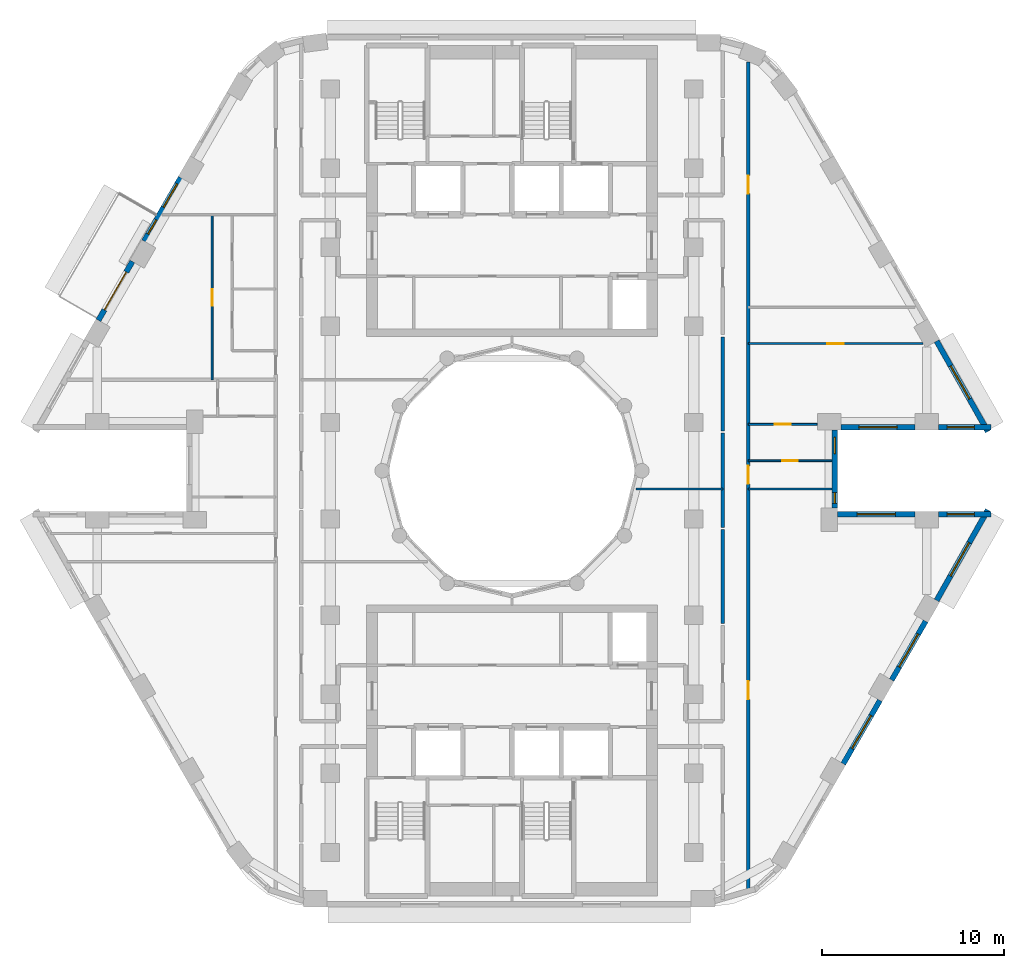
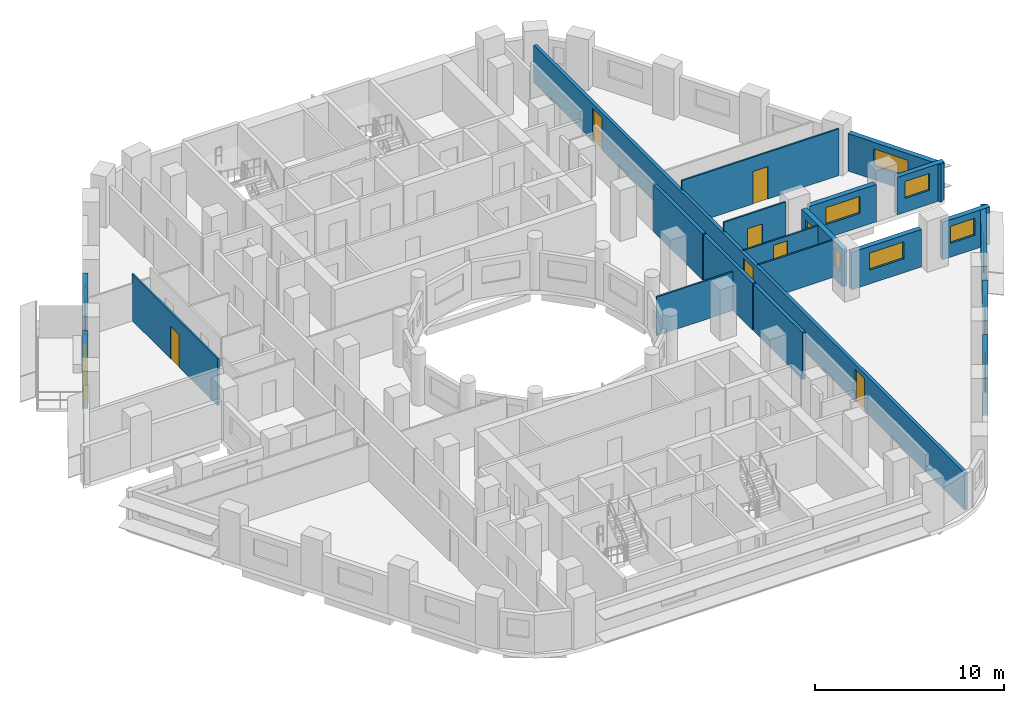
# One storey, part 6 of 13: 21 walls, 12 windows, 8 doors, 20 openings.
"""IFC4 building model written with IfcOpenShell, lengths in metres."""

from ifc_helpers import new_model, si_unit, direction, frame, frame_2d, origin, place, context, subcontext, project, spatial, rectangle, extrude, material, layer, layer_set, type_object, element, fill, save


model = new_model("IFC4")

# Units and contexts
model_context = context("Model", 3, precision=1e-05, world=origin(), true_north=direction((0.0, 1.0)))
body_context = subcontext(model_context, "Body", "Model", "MODEL_VIEW")
ifc_project = project(units=[si_unit("LENGTHUNIT", "METRE"), si_unit("AREAUNIT", "SQUARE_METRE"), si_unit("VOLUMEUNIT", "CUBIC_METRE"), si_unit("PLANEANGLEUNIT", "RADIAN"), si_unit("MASSUNIT", "GRAM", prefix="KILO")], contexts=[model_context])

# Site, building, storey
site_placement = place(None, origin())
site = spatial("IfcSite", under=ifc_project, at=site_placement, CompositionType="ELEMENT")
building_placement = place(site_placement, origin())
building = spatial("IfcBuilding", under=site, at=building_placement, Name="Nakaniwa Court", CompositionType="ELEMENT")
storey_placement = place(building_placement, frame((0.0, 0.0, 150.300048828125)))
storey = spatial("IfcBuildingStorey", under=building, at=storey_placement, Name="L39", CompositionType="ELEMENT", Elevation=150.300048828125)

# Walls
ifc_material_1 = material(Name="Acoustic double stud partition")
ifc_layer_1 = layer(ifc_material_1, 0.199951171875)
ifc_layer_set_1 = layer_set([ifc_layer_1], Name="Acoustic double stud partition")
wall_type_1 = type_object("IfcWallType", Name="Acoustic double stud partition 200", PredefinedType="PARTITIONING", material=ifc_layer_set_1)
for number, where, z_axis, x_axis, name in (
    (1, (91.60009765625, 71.587158203125, 0.0), (0.0, 0.0, 1.0), (0.0, 1.0, 0.0), "Partition PW-070"),
    (2, (91.60009765625, 76.88720703125, 0.0), (0.0, 0.0, 1.0), (0.0, 1.0, 0.0), "Partition PW-071"),
    (3, (91.60009765625, 82.187255859375, 0.0), (0.0, 0.0, 1.0), (0.0, 1.0, 0.0), "Partition PW-072"),
):
    element("IfcWall", number, at=place(storey_placement, frame(where, z_axis=z_axis, x_axis=x_axis)), inside=storey, type_object=wall_type_1, Name=name, PredefinedType="PARTITIONING", context=body_context, shape_type="SweptSolid", body=[
        extrude(rectangle(XDim=5.185546875, YDim=0.199951171875, at=frame_2d((2.5927734375, 0.0))), origin(), (0.0, 0.0, 1.0), 3.02490234375),
    ])

# Wall, openings, doors
wall_1_placement = place(storey_placement, frame((93.0, 102.498046875, 0.0), z_axis=(0.0, 0.0, 1.0), x_axis=(0.0, -1.0, 0.0)))
wall_1 = element("IfcWall", 4, at=wall_1_placement, inside=storey, type_object=wall_type_1, Name="Partition PW-080", PredefinedType="PARTITIONING", context=body_context, shape_type="SweptSolid", body=[
    extrude(rectangle(XDim=45.664794921875, YDim=0.199951171875, at=frame_2d((22.83251953125, 0.0))), origin(), (0.0, 0.0, 1.0), 2.405029296875),
])
opening_1_placement = place(wall_1_placement, frame((34.0810546875, 0.0, 0.0)))
opening_1 = element("IfcOpeningElement", 5, at=opening_1_placement, cuts=wall_1, Name="Opening D-02-02", PredefinedType="OPENING", context=body_context, shape_type="SweptSolid", body=[
    extrude(rectangle(XDim=1.0, YDim=2.10009765625, at=frame_2d((0.5, 1.050048828125))), frame((0.0, 0.10986328125, 0.0), z_axis=(0.0, -1.0, 0.0), x_axis=(1.0, 0.0, 0.0)), (0.0, 0.0, 1.0), 0.219970703125),
])
opening_2_placement = place(wall_1_placement, frame((22.222900390625, 0.0, 0.0)))
opening_2 = element("IfcOpeningElement", 6, at=opening_2_placement, cuts=wall_1, Name="Opening D-01-01", PredefinedType="OPENING", context=body_context, shape_type="SweptSolid", body=[
    extrude(rectangle(XDim=1.0, YDim=2.10009765625, at=frame_2d((0.5, 1.050048828125))), frame((0.0, 0.10986328125, 0.0), z_axis=(0.0, -1.0, 0.0), x_axis=(1.0, 0.0, 0.0)), (0.0, 0.0, 1.0), 0.219970703125),
])
opening_3_placement = place(wall_1_placement, frame((6.2509765625, 0.0, 0.0)))
opening_3 = element("IfcOpeningElement", 7, at=opening_3_placement, cuts=wall_1, Name="Opening D-02-04", PredefinedType="OPENING", context=body_context, shape_type="SweptSolid", body=[
    extrude(rectangle(XDim=1.0, YDim=2.10009765625, at=frame_2d((0.5, 1.050048828125))), frame((0.0, 0.10986328125, 0.0), z_axis=(0.0, -1.0, 0.0), x_axis=(1.0, 0.0, 0.0)), (0.0, 0.0, 1.0), 0.219970703125),
])
ifc_material_2 = material(Name="Solid core timber door set, black veneer", Category="wood")
door_type_1 = type_object("IfcDoorType", Name="Flat entrance door 1000", OperationType="NOTDEFINED", PredefinedType="DOOR", material=ifc_material_2)
door_1_placement = place(opening_2_placement, origin())
door_1 = element("IfcDoor", 8, at=door_1_placement, inside=storey, type_object=door_type_1, Name="Door D-01-01 L39-026", OperationType="SINGLE_SWING_LEFT", OverallHeight=2.10009765625, OverallWidth=1.0, PredefinedType="DOOR", context=body_context, shape_type="SweptSolid", body=[
    extrude(rectangle(XDim=1.0, YDim=2.10009765625, at=frame_2d((0.5, 1.050048828125))), frame((0.0, 0.02490234375, 0.0), z_axis=(0.0, -1.0, 0.0), x_axis=(1.0, 0.0, 0.0)), (0.0, 0.0, 1.0), 0.050048828125),
])
fill(opening_2, door_1)
door_type_2 = type_object("IfcDoorType", Name="Internal door 1000", OperationType="NOTDEFINED", PredefinedType="DOOR", material=ifc_material_2)
door_2_placement = place(opening_1_placement, origin())
door_2 = element("IfcDoor", 9, at=door_2_placement, inside=storey, type_object=door_type_2, Name="Door D-02-02 L39-024", OperationType="SINGLE_SWING_LEFT", OverallHeight=2.10009765625, OverallWidth=1.0, PredefinedType="DOOR", context=body_context, shape_type="SweptSolid", body=[
    extrude(rectangle(XDim=1.0, YDim=2.10009765625, at=frame_2d((0.5, 1.050048828125))), frame((0.0, 0.02490234375, 0.0), z_axis=(0.0, -1.0, 0.0), x_axis=(1.0, 0.0, 0.0)), (0.0, 0.0, 1.0), 0.050048828125),
])
fill(opening_1, door_2)
door_3_placement = place(opening_3_placement, origin())
door_3 = element("IfcDoor", 10, at=door_3_placement, inside=storey, type_object=door_type_2, Name="Door D-02-04 L39-030", OperationType="SINGLE_SWING_LEFT", OverallHeight=2.10009765625, OverallWidth=1.0, PredefinedType="DOOR", context=body_context, shape_type="SweptSolid", body=[
    extrude(rectangle(XDim=1.0, YDim=2.10009765625, at=frame_2d((0.5, 1.050048828125))), frame((0.0, 0.02490234375, 0.0), z_axis=(0.0, -1.0, 0.0), x_axis=(1.0, 0.0, 0.0)), (0.0, 0.0, 1.0), 0.050048828125),
])
fill(opening_3, door_3)

# Wall, opening, window
ifc_material_3 = material(Name="Charcoal ceramic cladding")
ifc_layer_2 = layer(ifc_material_3, 0.02, Name="Ceramic cladding")
ifc_material_4 = material(Name="Ventilated air cavity")
ifc_layer_3 = layer(ifc_material_4, 0.04, ventilated=True, Name="Ventilated cavity")
ifc_material_5 = material(Name="Mineral wool insulation")
ifc_layer_4 = layer(ifc_material_5, 0.1, Name="Insulation")
ifc_material_6 = material(Name="Cement bonded sheathing board")
ifc_layer_5 = layer(ifc_material_6, 0.012, Name="Sheathing")
ifc_material_7 = material(Name="Cold-formed galvanised stud frame with mineral wool infill")
ifc_layer_6 = layer(ifc_material_7, 0.1, Name="Stud frame")
ifc_material_8 = material(Name="Fire-rated gypsum plasterboard lining")
ifc_layer_7 = layer(ifc_material_8, 0.028, Name="Lining")
ifc_layer_set_2 = layer_set([ifc_layer_2, ifc_layer_3, ifc_layer_4, ifc_layer_5, ifc_layer_6, ifc_layer_7], Name="Charcoal ceramic faced external wall system")
wall_type_2 = type_object("IfcWallType", Name="Black ceramic faced external wall 300", PredefinedType="SOLIDWALL", material=ifc_layer_set_2)
wall_2_placement = place(storey_placement, frame((98.1044921875, 82.39990234375, 0.0), z_axis=(0.0, 0.0, 1.0), x_axis=(1.0, 0.0, 0.0)))
wall_2 = element("IfcWall", 11, at=wall_2_placement, inside=storey, type_object=wall_type_2, Name="L39 external wall 00", PredefinedType="SOLIDWALL", context=body_context, shape_type="SweptSolid", body=[
    extrude(rectangle(XDim=4.072509765625, YDim=0.300048828125, at=frame_2d((2.0361328125, 0.0))), origin(), (0.0, 0.0, 1.0), 2.425048828125),
])
opening_4_placement = place(wall_2_placement, frame((0.986083984375, 0.0, 0.89990234375)))
opening_4 = element("IfcOpeningElement", 12, at=opening_4_placement, cuts=wall_2, Name="Opening W7.01", PredefinedType="OPENING", context=body_context, shape_type="SweptSolid", body=[
    extrude(rectangle(XDim=2.10009765625, YDim=1.10009765625, at=frame_2d((1.050048828125, 0.550048828125))), frame((0.0, 0.159912109375, 0.0), z_axis=(0.0, -1.0, 0.0), x_axis=(1.0, 0.0, 0.0)), (0.0, 0.0, 1.0), 0.320068359375),
])
ifc_material_9 = material(Name="Black anodised aluminium frame with dark low-E laminated double glazing", Category="aluminium")
window_type_1 = type_object("IfcWindowType", Name="Dark glass window 2100x1100 sill 900", PartitioningType="SINGLE_PANEL", PredefinedType="WINDOW", material=ifc_material_9)
window_1_placement = place(opening_4_placement, origin())
window_1 = element("IfcWindow", 13, at=window_1_placement, inside=storey, type_object=window_type_1, Name="L39 living window 00-0", OverallHeight=1.10009765625, OverallWidth=2.10009765625, PartitioningType="SINGLE_PANEL", PredefinedType="WINDOW", context=body_context, shape_type="SweptSolid", body=[
    extrude(rectangle(XDim=2.10009765625, YDim=1.10009765625, at=frame_2d((1.050048828125, 0.550048828125))), frame((0.0, 0.030029296875, 0.0), z_axis=(0.0, -1.0, 0.0), x_axis=(1.0, 0.0, 0.0)), (0.0, 0.0, 1.0), 0.06005859375),
])
fill(opening_4, window_1)

wall_3_placement = place(storey_placement, frame((103.468994140625, 82.39990234375, 0.0), z_axis=(0.0, 0.0, 1.0), x_axis=(1.0, 0.0, 0.0)))
wall_3 = element("IfcWall", 14, at=wall_3_placement, inside=storey, type_object=wall_type_2, Name="L39 external wall 01", PredefinedType="SOLIDWALL", context=body_context, shape_type="SweptSolid", body=[
    extrude(rectangle(XDim=2.8876953125, YDim=0.300048828125, at=frame_2d((1.44384765625, 0.0))), origin(), (0.0, 0.0, 1.0), 2.425048828125),
])
opening_5_placement = place(wall_3_placement, frame((0.46875, 0.0, 0.89990234375)))
opening_5 = element("IfcOpeningElement", 15, at=opening_5_placement, cuts=wall_3, Name="Opening W5.02", PredefinedType="OPENING", context=body_context, shape_type="SweptSolid", body=[
    extrude(rectangle(XDim=1.5, YDim=1.10009765625, at=frame_2d((0.75, 0.550048828125))), frame((0.0, 0.159912109375, 0.0), z_axis=(0.0, -1.0, 0.0), x_axis=(1.0, 0.0, 0.0)), (0.0, 0.0, 1.0), 0.320068359375),
])
window_type_2 = type_object("IfcWindowType", Name="Dark glass window 1500x1100 sill 900", PartitioningType="SINGLE_PANEL", PredefinedType="WINDOW", material=ifc_material_9)
window_2_placement = place(opening_5_placement, origin())
window_2 = element("IfcWindow", 16, at=window_2_placement, inside=storey, type_object=window_type_2, Name="L39 living window 01-0", OverallHeight=1.10009765625, OverallWidth=1.5, PartitioningType="SINGLE_PANEL", PredefinedType="WINDOW", context=body_context, shape_type="SweptSolid", body=[
    extrude(rectangle(XDim=1.5, YDim=1.10009765625, at=frame_2d((0.75, 0.550048828125))), frame((0.0, 0.030029296875, 0.0), z_axis=(0.0, -1.0, 0.0), x_axis=(1.0, 0.0, 0.0)), (0.0, 0.0, 1.0), 0.06005859375),
])
fill(opening_5, window_2)

wall_4_placement = place(storey_placement, frame((106.18603515625, 82.1533203125, 0.0), z_axis=(0.0, 0.0, 1.0), x_axis=(-0.492498306264, 0.87031340236, 0.0)))
wall_4 = element("IfcWall", 17, at=wall_4_placement, inside=storey, type_object=wall_type_2, Name="L39 external wall 02", PredefinedType="SOLIDWALL", context=body_context, shape_type="SweptSolid", body=[
    extrude(rectangle(XDim=5.7265625, YDim=0.300048828125, at=frame_2d((2.86328125, 0.0))), origin(), (0.0, 0.0, 1.0), 2.425048828125),
])
opening_6_placement = place(wall_4_placement, frame((2.05859375, 0.0, 0.89990234375)))
opening_6 = element("IfcOpeningElement", 18, at=opening_6_placement, cuts=wall_4, Name="Opening W7.03", PredefinedType="OPENING", context=body_context, shape_type="SweptSolid", body=[
    extrude(rectangle(XDim=2.10009765625, YDim=1.10009765625, at=frame_2d((1.050048828125, 0.550048828125))), frame((0.0, 0.159912109375, 0.0), z_axis=(0.0, -1.0, 0.0), x_axis=(1.0, 0.0, 0.0)), (0.0, 0.0, 1.0), 0.320068359375),
])
window_3_placement = place(opening_6_placement, origin())
window_3 = element("IfcWindow", 19, at=window_3_placement, inside=storey, type_object=window_type_1, Name="L39 living window 02-0", OverallHeight=1.10009765625, OverallWidth=2.10009765625, PartitioningType="SINGLE_PANEL", PredefinedType="WINDOW", context=body_context, shape_type="SweptSolid", body=[
    extrude(rectangle(XDim=2.10009765625, YDim=1.10009765625, at=frame_2d((1.050048828125, 0.550048828125))), frame((0.0, 0.030029296875, 0.0), z_axis=(0.0, -1.0, 0.0), x_axis=(1.0, 0.0, 0.0)), (0.0, 0.0, 1.0), 0.06005859375),
])
fill(opening_6, window_3)

# Wall, openings, windows
wall_5_placement = place(storey_placement, frame((61.771728515625, 96.127685546875, 0.0), z_axis=(0.0, 0.0, 1.0), x_axis=(-0.500031546601, -0.86600718958, 0.0)))
wall_5 = element("IfcWall", 20, at=wall_5_placement, inside=storey, type_object=wall_type_2, Name="L39 external wall 12", PredefinedType="SOLIDWALL", context=body_context, shape_type="SweptSolid", body=[
    extrude(rectangle(XDim=4.033935546875, YDim=0.300048828125, at=frame_2d((2.01708984375, 0.0))), origin(), (0.0, 0.0, 1.0), 2.425048828125),
])
opening_7_placement = place(wall_5_placement, frame((0.393798828125, 0.0, 0.89990234375)))
opening_7 = element("IfcOpeningElement", 21, at=opening_7_placement, cuts=wall_5, Name="Opening W5.12", PredefinedType="OPENING", context=body_context, shape_type="SweptSolid", body=[
    extrude(rectangle(XDim=1.5, YDim=1.10009765625, at=frame_2d((0.75, 0.550048828125))), frame((0.0, 0.159912109375, 0.0), z_axis=(0.0, -1.0, 0.0), x_axis=(1.0, 0.0, 0.0)), (0.0, 0.0, 1.0), 0.320068359375),
])
opening_8_placement = place(wall_5_placement, frame((2.686279296875, 0.0, 0.89990234375)))
opening_8 = element("IfcOpeningElement", 22, at=opening_8_placement, cuts=wall_5, Name="Opening W9.13", PredefinedType="OPENING", context=body_context, shape_type="SweptSolid", body=[
    extrude(rectangle(XDim=0.89990234375, YDim=1.10009765625, at=frame_2d((0.449951171875, 0.550048828125))), frame((0.0, 0.159912109375, 0.0), z_axis=(0.0, -1.0, 0.0), x_axis=(1.0, 0.0, 0.0)), (0.0, 0.0, 1.0), 0.320068359375),
])
window_4_placement = place(opening_7_placement, origin())
window_4 = element("IfcWindow", 23, at=window_4_placement, inside=storey, type_object=window_type_2, Name="L39 habitable room window 12-0", OverallHeight=1.10009765625, OverallWidth=1.5, PartitioningType="SINGLE_PANEL", PredefinedType="WINDOW", context=body_context, shape_type="SweptSolid", body=[
    extrude(rectangle(XDim=1.5, YDim=1.10009765625, at=frame_2d((0.75, 0.550048828125))), frame((0.0, 0.030029296875, 0.0), z_axis=(0.0, -1.0, 0.0), x_axis=(1.0, 0.0, 0.0)), (0.0, 0.0, 1.0), 0.06005859375),
])
fill(opening_7, window_4)
window_type_3 = type_object("IfcWindowType", Name="Dark glass window 900x1100 sill 900", PartitioningType="SINGLE_PANEL", PredefinedType="WINDOW", material=ifc_material_9)
window_5_placement = place(opening_8_placement, origin())
window_5 = element("IfcWindow", 24, at=window_5_placement, inside=storey, type_object=window_type_3, Name="L39 living window 12-1", OverallHeight=1.10009765625, OverallWidth=0.89990234375, PartitioningType="SINGLE_PANEL", PredefinedType="WINDOW", context=body_context, shape_type="SweptSolid", body=[
    extrude(rectangle(XDim=0.89990234375, YDim=1.10009765625, at=frame_2d((0.449951171875, 0.550048828125))), frame((0.0, 0.030029296875, 0.0), z_axis=(0.0, -1.0, 0.0), x_axis=(1.0, 0.0, 0.0)), (0.0, 0.0, 1.0), 0.06005859375),
])
fill(opening_8, window_5)

# Wall, opening, door
wall_6_placement = place(storey_placement, frame((59.108642578125, 91.515380859375, 0.0), z_axis=(0.0, 0.0, 1.0), x_axis=(-0.499933594891, -0.866063739398, 0.0)))
wall_6 = element("IfcWall", 25, at=wall_6_placement, inside=storey, type_object=wall_type_2, Name="L39 external wall 13", PredefinedType="SOLIDWALL", context=body_context, shape_type="SweptSolid", body=[
    extrude(rectangle(XDim=3.73681640625, YDim=0.300048828125, at=frame_2d((1.868408203125, 0.0))), origin(), (0.0, 0.0, 1.0), 2.425048828125),
])
opening_9_placement = place(wall_6_placement, frame((0.66845703125, 0.0, 0.0)))
opening_9 = element("IfcOpeningElement", 26, at=opening_9_placement, cuts=wall_6, Name="Opening XD13.01", PredefinedType="OPENING", context=body_context, shape_type="SweptSolid", body=[
    extrude(rectangle(XDim=2.39990234375, YDim=2.0, at=frame_2d((1.199951171875, 1.0))), frame((0.0, 0.159912109375, 0.0), z_axis=(0.0, -1.0, 0.0), x_axis=(1.0, 0.0, 0.0)), (0.0, 0.0, 1.0), 0.320068359375),
])
ifc_material_10 = material(Name="Black powder-coated aluminium frame with dark laminated glass", Category="aluminium")
door_type_3 = type_object("IfcDoorType", Name="Balcony sliding door 2400x2000", OperationType="DOUBLE_DOOR_SLIDING", PredefinedType="DOOR", material=ifc_material_10)
door_4_placement = place(opening_9_placement, origin())
door_4 = element("IfcDoor", 27, at=door_4_placement, inside=storey, type_object=door_type_3, Name="L39 balcony sliding door 01", OperationType="DOUBLE_DOOR_SLIDING", OverallHeight=2.0, OverallWidth=2.39990234375, PredefinedType="DOOR", context=body_context, shape_type="SweptSolid", body=[
    extrude(rectangle(XDim=2.39990234375, YDim=2.0, at=frame_2d((1.199951171875, 1.0))), frame((0.0, 0.02490234375, 0.0), z_axis=(0.0, -1.0, 0.0), x_axis=(1.0, 0.0, 0.0)), (0.0, 0.0, 1.0), 0.050048828125),
])
fill(opening_9, door_4)

# Wall, opening, window
wall_7_placement = place(storey_placement, frame((98.228271484375, 63.872314453125, 0.0), z_axis=(0.0, 0.0, 1.0), x_axis=(0.500031546601, 0.86600718958, 0.0)))
wall_7 = element("IfcWall", 28, at=wall_7_placement, inside=storey, type_object=wall_type_2, Name="L39 external wall 30", PredefinedType="SOLIDWALL", context=body_context, shape_type="SweptSolid", body=[
    extrude(rectangle(XDim=4.033935546875, YDim=0.300048828125, at=frame_2d((2.01708984375, 0.0))), origin(), (0.0, 0.0, 1.0), 2.425048828125),
])
opening_10_placement = place(wall_7_placement, frame((0.967041015625, 0.0, 0.89990234375)))
opening_10 = element("IfcOpeningElement", 29, at=opening_10_placement, cuts=wall_7, Name="Opening W7.29", PredefinedType="OPENING", context=body_context, shape_type="SweptSolid", body=[
    extrude(rectangle(XDim=2.10009765625, YDim=1.10009765625, at=frame_2d((1.050048828125, 0.550048828125))), frame((0.0, 0.159912109375, 0.0), z_axis=(0.0, -1.0, 0.0), x_axis=(1.0, 0.0, 0.0)), (0.0, 0.0, 1.0), 0.320068359375),
])
window_6_placement = place(opening_10_placement, origin())
window_6 = element("IfcWindow", 30, at=window_6_placement, inside=storey, type_object=window_type_1, Name="L39 habitable room window 30-0", OverallHeight=1.10009765625, OverallWidth=2.10009765625, PartitioningType="SINGLE_PANEL", PredefinedType="WINDOW", context=body_context, shape_type="SweptSolid", body=[
    extrude(rectangle(XDim=2.10009765625, YDim=1.10009765625, at=frame_2d((1.050048828125, 0.550048828125))), frame((0.0, 0.030029296875, 0.0), z_axis=(0.0, -1.0, 0.0), x_axis=(1.0, 0.0, 0.0)), (0.0, 0.0, 1.0), 0.06005859375),
])
fill(opening_10, window_6)

wall_8_placement = place(storey_placement, frame((100.891357421875, 68.484619140625, 0.0), z_axis=(0.0, 0.0, 1.0), x_axis=(0.499933594891, 0.866063739398, 0.0)))
wall_8 = element("IfcWall", 31, at=wall_8_placement, inside=storey, type_object=wall_type_2, Name="L39 external wall 31", PredefinedType="SOLIDWALL", context=body_context, shape_type="SweptSolid", body=[
    extrude(rectangle(XDim=3.73681640625, YDim=0.300048828125, at=frame_2d((1.868408203125, 0.0))), origin(), (0.0, 0.0, 1.0), 2.425048828125),
])
opening_11_placement = place(wall_8_placement, frame((0.818359375, 0.0, 0.89990234375)))
opening_11 = element("IfcOpeningElement", 32, at=opening_11_placement, cuts=wall_8, Name="Opening W7.30", PredefinedType="OPENING", context=body_context, shape_type="SweptSolid", body=[
    extrude(rectangle(XDim=2.10009765625, YDim=1.10009765625, at=frame_2d((1.050048828125, 0.550048828125))), frame((0.0, 0.159912109375, 0.0), z_axis=(0.0, -1.0, 0.0), x_axis=(1.0, 0.0, 0.0)), (0.0, 0.0, 1.0), 0.320068359375),
])
window_7_placement = place(opening_11_placement, origin())
window_7 = element("IfcWindow", 33, at=window_7_placement, inside=storey, type_object=window_type_1, Name="L39 habitable room window 31-0", OverallHeight=1.10009765625, OverallWidth=2.10009765625, PartitioningType="SINGLE_PANEL", PredefinedType="WINDOW", context=body_context, shape_type="SweptSolid", body=[
    extrude(rectangle(XDim=2.10009765625, YDim=1.10009765625, at=frame_2d((1.050048828125, 0.550048828125))), frame((0.0, 0.030029296875, 0.0), z_axis=(0.0, -1.0, 0.0), x_axis=(1.0, 0.0, 0.0)), (0.0, 0.0, 1.0), 0.06005859375),
])
fill(opening_11, window_7)

wall_9_placement = place(storey_placement, frame((103.36572265625, 72.86279296875, 0.0), z_axis=(0.0, 0.0, 1.0), x_axis=(0.492498306264, 0.87031340236, 0.0)))
wall_9 = element("IfcWall", 34, at=wall_9_placement, inside=storey, type_object=wall_type_2, Name="L39 external wall 32", PredefinedType="SOLIDWALL", context=body_context, shape_type="SweptSolid", body=[
    extrude(rectangle(XDim=5.7265625, YDim=0.300048828125, at=frame_2d((2.86328125, 0.0))), origin(), (0.0, 0.0, 1.0), 2.425048828125),
])
opening_12_placement = place(wall_9_placement, frame((1.550048828125, 0.0, 0.89990234375)))
opening_12 = element("IfcOpeningElement", 35, at=opening_12_placement, cuts=wall_9, Name="Opening W7.31", PredefinedType="OPENING", context=body_context, shape_type="SweptSolid", body=[
    extrude(rectangle(XDim=2.10009765625, YDim=1.10009765625, at=frame_2d((1.050048828125, 0.550048828125))), frame((0.0, 0.159912109375, 0.0), z_axis=(0.0, -1.0, 0.0), x_axis=(1.0, 0.0, 0.0)), (0.0, 0.0, 1.0), 0.320068359375),
])
window_8_placement = place(opening_12_placement, origin())
window_8 = element("IfcWindow", 36, at=window_8_placement, inside=storey, type_object=window_type_1, Name="L39 habitable room window 32-0", OverallHeight=1.10009765625, OverallWidth=2.10009765625, PartitioningType="SINGLE_PANEL", PredefinedType="WINDOW", context=body_context, shape_type="SweptSolid", body=[
    extrude(rectangle(XDim=2.10009765625, YDim=1.10009765625, at=frame_2d((1.050048828125, 0.550048828125))), frame((0.0, 0.030029296875, 0.0), z_axis=(0.0, -1.0, 0.0), x_axis=(1.0, 0.0, 0.0)), (0.0, 0.0, 1.0), 0.06005859375),
])
fill(opening_12, window_8)

wall_10_placement = place(storey_placement, frame((106.356689453125, 77.60009765625, 0.0), z_axis=(0.0, 0.0, 1.0), x_axis=(-1.0, 0.0, 0.0)))
wall_10 = element("IfcWall", 37, at=wall_10_placement, inside=storey, type_object=wall_type_2, Name="L39 external wall 33", PredefinedType="SOLIDWALL", context=body_context, shape_type="SweptSolid", body=[
    extrude(rectangle(XDim=2.8876953125, YDim=0.300048828125, at=frame_2d((1.44384765625, 0.0))), origin(), (0.0, 0.0, 1.0), 2.425048828125),
])
opening_13_placement = place(wall_10_placement, frame((0.9189453125, 0.0, 0.89990234375)))
opening_13 = element("IfcOpeningElement", 38, at=opening_13_placement, cuts=wall_10, Name="Opening W5.32", PredefinedType="OPENING", context=body_context, shape_type="SweptSolid", body=[
    extrude(rectangle(XDim=1.5, YDim=1.10009765625, at=frame_2d((0.75, 0.550048828125))), frame((0.0, 0.159912109375, 0.0), z_axis=(0.0, -1.0, 0.0), x_axis=(1.0, 0.0, 0.0)), (0.0, 0.0, 1.0), 0.320068359375),
])
window_9_placement = place(opening_13_placement, origin())
window_9 = element("IfcWindow", 39, at=window_9_placement, inside=storey, type_object=window_type_2, Name="L39 habitable room window 33-0", OverallHeight=1.10009765625, OverallWidth=1.5, PartitioningType="SINGLE_PANEL", PredefinedType="WINDOW", context=body_context, shape_type="SweptSolid", body=[
    extrude(rectangle(XDim=1.5, YDim=1.10009765625, at=frame_2d((0.75, 0.550048828125))), frame((0.0, 0.030029296875, 0.0), z_axis=(0.0, -1.0, 0.0), x_axis=(1.0, 0.0, 0.0)), (0.0, 0.0, 1.0), 0.06005859375),
])
fill(opening_13, window_9)

wall_11_placement = place(storey_placement, frame((102.177001953125, 77.60009765625, 0.0), z_axis=(0.0, 0.0, 1.0), x_axis=(-1.0, 0.0, 0.0)))
wall_11 = element("IfcWall", 40, at=wall_11_placement, inside=storey, type_object=wall_type_2, Name="L39 external wall 34", PredefinedType="SOLIDWALL", context=body_context, shape_type="SweptSolid", body=[
    extrude(rectangle(XDim=4.272705078125, YDim=0.300048828125, at=frame_2d((2.13623046875, 0.0))), origin(), (0.0, 0.0, 1.0), 2.425048828125),
])
opening_14_placement = place(wall_11_placement, frame((1.086181640625, 0.0, 0.89990234375)))
opening_14 = element("IfcOpeningElement", 41, at=opening_14_placement, cuts=wall_11, Name="Opening W7.33", PredefinedType="OPENING", context=body_context, shape_type="SweptSolid", body=[
    extrude(rectangle(XDim=2.10009765625, YDim=1.10009765625, at=frame_2d((1.050048828125, 0.550048828125))), frame((0.0, 0.159912109375, 0.0), z_axis=(0.0, -1.0, 0.0), x_axis=(1.0, 0.0, 0.0)), (0.0, 0.0, 1.0), 0.320068359375),
])
window_10_placement = place(opening_14_placement, origin())
window_10 = element("IfcWindow", 42, at=window_10_placement, inside=storey, type_object=window_type_1, Name="L39 habitable room window 34-0", OverallHeight=1.10009765625, OverallWidth=2.10009765625, PartitioningType="SINGLE_PANEL", PredefinedType="WINDOW", context=body_context, shape_type="SweptSolid", body=[
    extrude(rectangle(XDim=2.10009765625, YDim=1.10009765625, at=frame_2d((1.050048828125, 0.550048828125))), frame((0.0, 0.030029296875, 0.0), z_axis=(0.0, -1.0, 0.0), x_axis=(1.0, 0.0, 0.0)), (0.0, 0.0, 1.0), 0.06005859375),
])
fill(opening_14, window_10)

# Wall, openings, windows
wall_12_placement = place(storey_placement, frame((97.75830078125, 77.946044921875, 0.0), z_axis=(0.0, 0.0, 1.0), x_axis=(0.0, 1.0, 0.0)))
wall_12 = element("IfcWall", 43, at=wall_12_placement, inside=storey, type_object=wall_type_2, Name="L39 external wall 35", PredefinedType="SOLIDWALL", context=body_context, shape_type="SweptSolid", body=[
    extrude(rectangle(XDim=4.307861328125, YDim=0.300048828125, at=frame_2d((2.15380859375, 0.0))), origin(), (0.0, 0.0, 1.0), 2.425048828125),
])
opening_15_placement = place(wall_12_placement, frame((0.251953125, 0.0, 0.89990234375)))
opening_15 = element("IfcOpeningElement", 44, at=opening_15_placement, cuts=wall_12, Name="Opening W8.34", PredefinedType="OPENING", context=body_context, shape_type="SweptSolid", body=[
    extrude(rectangle(XDim=0.60009765625, YDim=1.10009765625, at=frame_2d((0.300048828125, 0.550048828125))), frame((0.0, 0.159912109375, 0.0), z_axis=(0.0, -1.0, 0.0), x_axis=(1.0, 0.0, 0.0)), (0.0, 0.0, 1.0), 0.320068359375),
])
opening_16_placement = place(wall_12_placement, frame((2.993896484375, 0.0, 1.5)))
opening_16 = element("IfcOpeningElement", 45, at=opening_16_placement, cuts=wall_12, Name="Opening W10.35", PredefinedType="OPENING", context=body_context, shape_type="SweptSolid", body=[
    extrude(rectangle(XDim=0.89990234375, YDim=0.5, at=frame_2d((0.449951171875, 0.25))), frame((0.0, 0.159912109375, 0.0), z_axis=(0.0, -1.0, 0.0), x_axis=(1.0, 0.0, 0.0)), (0.0, 0.0, 1.0), 0.320068359375),
])
window_type_4 = type_object("IfcWindowType", Name="Dark glass window 600x1100 sill 900", PartitioningType="SINGLE_PANEL", PredefinedType="WINDOW", material=ifc_material_9)
window_11_placement = place(opening_15_placement, origin())
window_11 = element("IfcWindow", 46, at=window_11_placement, inside=storey, type_object=window_type_4, Name="L39 habitable room window 35-0", OverallHeight=1.10009765625, OverallWidth=0.60009765625, PartitioningType="SINGLE_PANEL", PredefinedType="WINDOW", context=body_context, shape_type="SweptSolid", body=[
    extrude(rectangle(XDim=0.60009765625, YDim=1.10009765625, at=frame_2d((0.300048828125, 0.550048828125))), frame((0.0, 0.030029296875, 0.0), z_axis=(0.0, -1.0, 0.0), x_axis=(1.0, 0.0, 0.0)), (0.0, 0.0, 1.0), 0.06005859375),
])
fill(opening_15, window_11)
window_type_5 = type_object("IfcWindowType", Name="Dark glass window 900x500 sill 1500", PartitioningType="SINGLE_PANEL", PredefinedType="WINDOW", material=ifc_material_9)
window_12_placement = place(opening_16_placement, origin())
window_12 = element("IfcWindow", 47, at=window_12_placement, inside=storey, type_object=window_type_5, Name="L39 bathroom window 35-2", OverallHeight=0.5, OverallWidth=0.89990234375, PartitioningType="SINGLE_PANEL", PredefinedType="WINDOW", context=body_context, shape_type="SweptSolid", body=[
    extrude(rectangle(XDim=0.89990234375, YDim=0.5, at=frame_2d((0.449951171875, 0.25))), frame((0.0, 0.030029296875, 0.0), z_axis=(0.0, -1.0, 0.0), x_axis=(1.0, 0.0, 0.0)), (0.0, 0.0, 1.0), 0.06005859375),
])
fill(opening_16, window_12)

# Walls
ifc_material_11 = material(Name="Single stud plasterboard partition")
ifc_layer_8 = layer(ifc_material_11, 0.10009765625)
ifc_layer_set_3 = layer_set([ifc_layer_8], Name="Single stud plasterboard partition")
wall_type_3 = type_object("IfcWallType", Name="Single stud plasterboard partition 100", PredefinedType="PARTITIONING", material=ifc_layer_set_3)
wall_13_placement = place(storey_placement, frame((86.833251953125, 79.0, 0.0), z_axis=(0.0, 0.0, 1.0), x_axis=(1.0, 0.0, 0.0)))
element("IfcWall", 48, at=wall_13_placement, inside=storey, type_object=wall_type_3, Name="Partition PW-115", PredefinedType="PARTITIONING", context=body_context, shape_type="SweptSolid", body=[
    extrude(rectangle(XDim=4.765869140625, YDim=0.10009765625, at=frame_2d((2.3828125, 0.0))), origin(), (0.0, 0.0, 1.0), 2.5048828125),
])
wall_14_placement = place(storey_placement, frame((93.0009765625, 79.0, 0.0), z_axis=(0.0, 0.0, 1.0), x_axis=(1.0, 0.0, 0.0)))
element("IfcWall", 49, at=wall_14_placement, inside=storey, type_object=wall_type_3, Name="Partition PW-116", PredefinedType="PARTITIONING", context=body_context, shape_type="SweptSolid", body=[
    extrude(rectangle(XDim=4.607421875, YDim=0.10009765625, at=frame_2d((2.3037109375, 0.0))), origin(), (0.0, 0.0, 1.0), 2.405029296875),
])

# Wall, opening, door
wall_15_placement = place(storey_placement, frame((93.0009765625, 80.550048828125, 0.0), z_axis=(0.0, 0.0, 1.0), x_axis=(1.0, 0.0, 0.0)))
wall_15 = element("IfcWall", 50, at=wall_15_placement, inside=storey, type_object=wall_type_3, Name="Partition PW-117", PredefinedType="PARTITIONING", context=body_context, shape_type="SweptSolid", body=[
    extrude(rectangle(XDim=4.607421875, YDim=0.10009765625, at=frame_2d((2.3037109375, 0.0))), origin(), (0.0, 0.0, 1.0), 2.405029296875),
])
opening_17_placement = place(wall_15_placement, frame((1.87890625, 0.0, 0.0)))
opening_17 = element("IfcOpeningElement", 51, at=opening_17_placement, cuts=wall_15, Name="Opening D-03-01", PredefinedType="OPENING", context=body_context, shape_type="SweptSolid", body=[
    extrude(rectangle(XDim=0.85009765625, YDim=2.10009765625, at=frame_2d((0.425048828125, 1.050048828125))), frame((0.0, 0.06005859375, 0.0), z_axis=(0.0, -1.0, 0.0), x_axis=(1.0, 0.0, 0.0)), (0.0, 0.0, 1.0), 0.1201171875),
])
ifc_material_12 = material(Name="Moisture sealed timber door set", Category="wood")
door_type_4 = type_object("IfcDoorType", Name="Bathroom door 850", OperationType="NOTDEFINED", PredefinedType="DOOR", material=ifc_material_12)
door_5_placement = place(opening_17_placement, origin())
door_5 = element("IfcDoor", 52, at=door_5_placement, inside=storey, type_object=door_type_4, Name="Door D-03-01 L39-027", OperationType="SINGLE_SWING_RIGHT", OverallHeight=2.10009765625, OverallWidth=0.85009765625, PredefinedType="DOOR", context=body_context, shape_type="SweptSolid", body=[
    extrude(rectangle(XDim=0.85009765625, YDim=2.10009765625, at=frame_2d((0.425048828125, 1.050048828125))), frame((0.0, 0.02490234375, 0.0), z_axis=(0.0, -1.0, 0.0), x_axis=(1.0, 0.0, 0.0)), (0.0, 0.0, 1.0), 0.050048828125),
])
fill(opening_17, door_5)

wall_16_placement = place(storey_placement, frame((93.0009765625, 82.551025390625, 0.0), z_axis=(0.0, 0.0, 1.0), x_axis=(1.0, 0.0, 0.0)))
wall_16 = element("IfcWall", 53, at=wall_16_placement, inside=storey, type_object=wall_type_3, Name="Partition PW-118", PredefinedType="PARTITIONING", context=body_context, shape_type="SweptSolid", body=[
    extrude(rectangle(XDim=3.787353515625, YDim=0.10009765625, at=frame_2d((1.8935546875, 0.0))), origin(), (0.0, 0.0, 1.0), 3.02490234375),
])
opening_18_placement = place(wall_16_placement, frame((1.444091796875, 0.0, 0.0)))
opening_18 = element("IfcOpeningElement", 54, at=opening_18_placement, cuts=wall_16, Name="Opening D-33-01", PredefinedType="OPENING", context=body_context, shape_type="SweptSolid", body=[
    extrude(rectangle(XDim=0.89990234375, YDim=2.10009765625, at=frame_2d((0.449951171875, 1.050048828125))), frame((0.0, 0.06005859375, 0.0), z_axis=(0.0, -1.0, 0.0), x_axis=(1.0, 0.0, 0.0)), (0.0, 0.0, 1.0), 0.1201171875),
])
door_type_5 = type_object("IfcDoorType", Name="Internal door 900", OperationType="NOTDEFINED", PredefinedType="DOOR", material=ifc_material_2)
door_6_placement = place(opening_18_placement, origin())
door_6 = element("IfcDoor", 55, at=door_6_placement, inside=storey, type_object=door_type_5, Name="Door D-33-01 L39-028", OperationType="SINGLE_SWING_LEFT", OverallHeight=2.10009765625, OverallWidth=0.89990234375, PredefinedType="DOOR", context=body_context, shape_type="SweptSolid", body=[
    extrude(rectangle(XDim=0.89990234375, YDim=2.10009765625, at=frame_2d((0.449951171875, 1.050048828125))), frame((0.0, 0.02490234375, 0.0), z_axis=(0.0, -1.0, 0.0), x_axis=(1.0, 0.0, 0.0)), (0.0, 0.0, 1.0), 0.050048828125),
])
fill(opening_18, door_6)

wall_17_placement = place(storey_placement, frame((93.0009765625, 86.9990234375, 0.0), z_axis=(0.0, 0.0, 1.0), x_axis=(1.0, 0.0, 0.0)))
wall_17 = element("IfcWall", 56, at=wall_17_placement, inside=storey, type_object=wall_type_3, Name="Partition PW-119", PredefinedType="PARTITIONING", context=body_context, shape_type="SweptSolid", body=[
    extrude(rectangle(XDim=9.60888671875, YDim=0.10009765625, at=frame_2d((4.804443359375, 0.0))), origin(), (0.0, 0.0, 1.0), 3.02490234375),
])
opening_19_placement = place(wall_17_placement, frame((4.35400390625, 0.0, 0.0)))
opening_19 = element("IfcOpeningElement", 57, at=opening_19_placement, cuts=wall_17, Name="Opening D-33-02", PredefinedType="OPENING", context=body_context, shape_type="SweptSolid", body=[
    extrude(rectangle(XDim=0.89990234375, YDim=2.10009765625, at=frame_2d((0.449951171875, 1.050048828125))), frame((0.0, 0.06005859375, 0.0), z_axis=(0.0, -1.0, 0.0), x_axis=(1.0, 0.0, 0.0)), (0.0, 0.0, 1.0), 0.1201171875),
])
door_7_placement = place(opening_19_placement, origin())
door_7 = element("IfcDoor", 58, at=door_7_placement, inside=storey, type_object=door_type_5, Name="Door D-33-02 L39-029", OperationType="SINGLE_SWING_RIGHT", OverallHeight=2.10009765625, OverallWidth=0.89990234375, PredefinedType="DOOR", context=body_context, shape_type="SweptSolid", body=[
    extrude(rectangle(XDim=0.89990234375, YDim=2.10009765625, at=frame_2d((0.449951171875, 1.050048828125))), frame((0.0, 0.02490234375, 0.0), z_axis=(0.0, -1.0, 0.0), x_axis=(1.0, 0.0, 0.0)), (0.0, 0.0, 1.0), 0.050048828125),
])
fill(opening_19, door_7)

wall_18_placement = place(storey_placement, frame((63.4990234375, 85.0, 0.0), z_axis=(0.0, 0.0, 1.0), x_axis=(0.0, 1.0, 0.0)))
wall_18 = element("IfcWall", 59, at=wall_18_placement, inside=storey, type_object=wall_type_3, Name="Partition PW-133", PredefinedType="PARTITIONING", context=body_context, shape_type="SweptSolid", body=[
    extrude(rectangle(XDim=9.083251953125, YDim=0.10009765625, at=frame_2d((4.54150390625, 0.0))), origin(), (0.0, 0.0, 1.0), 3.02490234375),
])
opening_20_placement = place(wall_18_placement, frame((4.092041015625, 0.0, 0.0)))
opening_20 = element("IfcOpeningElement", 60, at=opening_20_placement, cuts=wall_18, Name="Opening D-33-07", PredefinedType="OPENING", context=body_context, shape_type="SweptSolid", body=[
    extrude(rectangle(XDim=0.89990234375, YDim=2.10009765625, at=frame_2d((0.449951171875, 1.050048828125))), frame((0.0, 0.06005859375, 0.0), z_axis=(0.0, -1.0, 0.0), x_axis=(1.0, 0.0, 0.0)), (0.0, 0.0, 1.0), 0.1201171875),
])
door_8_placement = place(opening_20_placement, origin())
door_8 = element("IfcDoor", 61, at=door_8_placement, inside=storey, type_object=door_type_5, Name="Door D-33-07 L39-044", OperationType="SINGLE_SWING_LEFT", OverallHeight=2.10009765625, OverallWidth=0.89990234375, PredefinedType="DOOR", context=body_context, shape_type="SweptSolid", body=[
    extrude(rectangle(XDim=0.89990234375, YDim=2.10009765625, at=frame_2d((0.449951171875, 1.050048828125))), frame((0.0, 0.02490234375, 0.0), z_axis=(0.0, -1.0, 0.0), x_axis=(1.0, 0.0, 0.0)), (0.0, 0.0, 1.0), 0.050048828125),
])
fill(opening_20, door_8)

save(model, "model.ifc")
